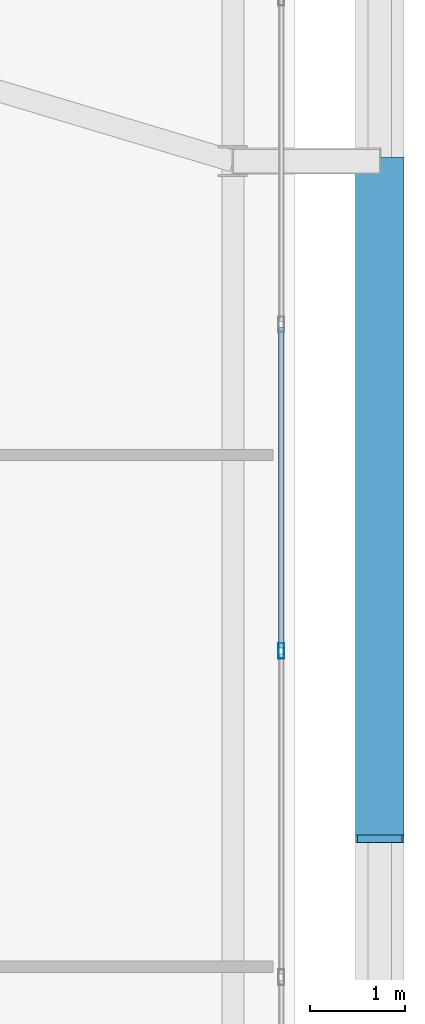
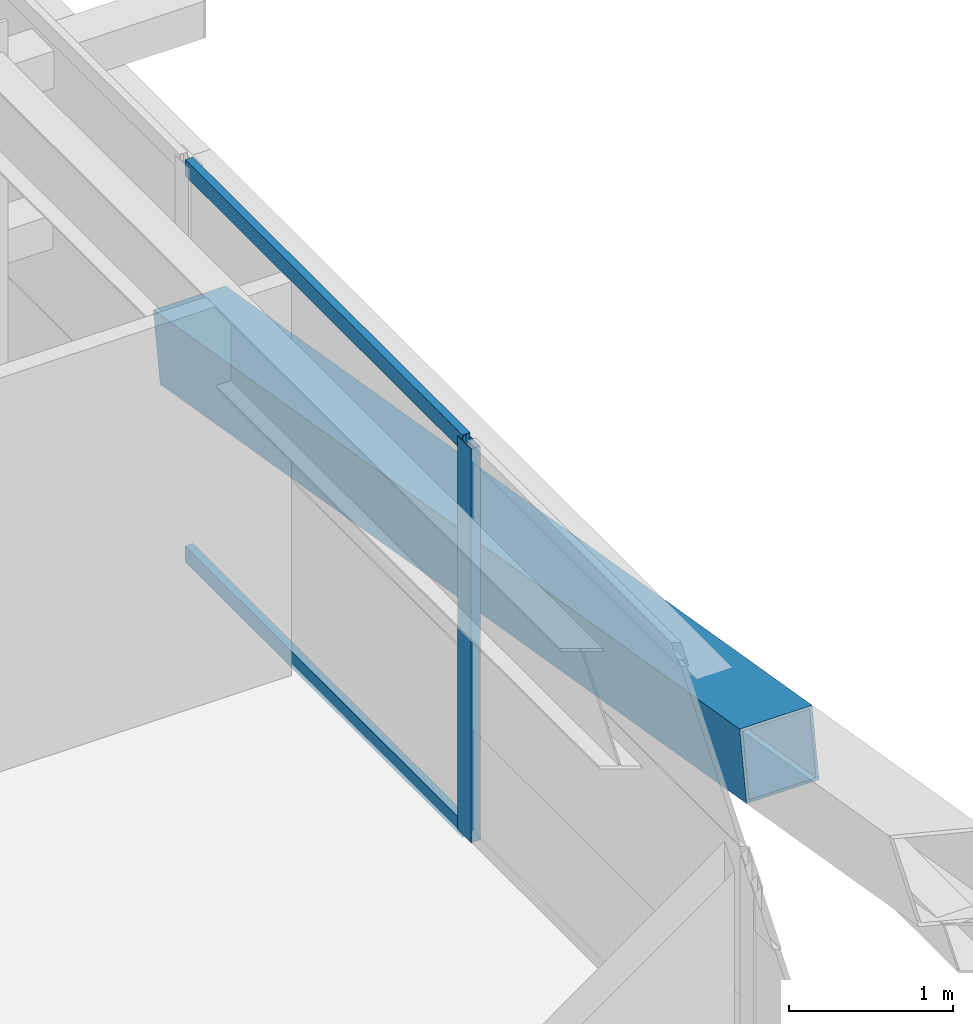
# One storey, part 28 of 58: 4 members, 1 element without a shape of its own.
"""IFC4 building model written with IfcOpenShell, lengths in metres."""

from ifc_helpers import new_model, si_unit, direction, frame, origin, origin_2d, place, context, subcontext, project, spatial, hollow_rectangle, extrude, source, transform, mapped, material, layer, layer_set, material_profile, profile_set, type_object, element, aggregate, save


model = new_model("IFC4")

# Units and contexts
model_context = context("Model", 3, precision=1e-05, world=origin(), true_north=direction((0.0, 1.0)))
body_context = subcontext(model_context, "Body", "Model", "MODEL_VIEW")
ifc_project = project(units=[si_unit("LENGTHUNIT", "METRE"), si_unit("AREAUNIT", "SQUARE_METRE"), si_unit("VOLUMEUNIT", "CUBIC_METRE"), si_unit("PLANEANGLEUNIT", "RADIAN"), si_unit("MASSUNIT", "GRAM", prefix="KILO")], contexts=[model_context])

# Site, building, storey
site_placement = place(None, origin())
site = spatial("IfcSite", under=ifc_project, at=site_placement, CompositionType="ELEMENT")
building_placement = place(site_placement, origin())
building = spatial("IfcBuilding", under=site, at=building_placement, Name="Taldren Reach Tower", CompositionType="ELEMENT")
storey_placement = place(building_placement, frame((0.0, 0.0, 51.449951171875)))
storey = spatial("IfcBuildingStorey", under=building, at=storey_placement, Name="L15", CompositionType="ELEMENT", Elevation=51.449951171875)

# Member
ifc_material_1 = material(Name="Steel Gr 450 (C450L0)", Category="steel")
ifc_material_profile_1 = material_profile(ifc_material_1, hollow_rectangle(XDim=0.510009765625, YDim=0.510009765625, WallThickness=0.02001953125, at=origin_2d()), Name="510x510x20.0SHS")
ifc_profile_set_1 = profile_set([ifc_material_profile_1], Name="Steel Gr 450 (C450L0)")
member_type_1 = type_object("IfcMemberType", Name="MB-EXO508", PredefinedType="BRACE", material=ifc_profile_set_1)
shared_shape_1 = source(origin(), body_context, "Body", "SweptSolid", [
    extrude(hollow_rectangle(XDim=0.510009765625, YDim=0.510009765625, WallThickness=0.02001953125, at=origin_2d()), origin(), (0.0, 0.0, 1.0), 7.25244140625),
])
member_1_placement = place(storey_placement, frame((65.89990234375, 20.0, 0.219970703125), z_axis=(0.0, -0.985864855729, 0.167542490848), x_axis=(1.0, 0.0, 0.0)))
element("IfcMember", 1, at=member_1_placement, inside=storey, type_object=member_type_1, Name="Exoskeleton Diagrid Brace B1-E1 L15", PredefinedType="BRACE", context=body_context, shape_type="MappedRepresentation", body=[
    mapped(shared_shape_1, transform((0.0, 0.0, 0.0), scale=1.0)),
])

# Curtain wall, members
ifc_material_2 = material(Name="Aluminium and Low-E Glass Unitised System", Category="aluminium")
ifc_layer = layer(ifc_material_2, 0.159912109375)
ifc_layer_set = layer_set([ifc_layer], Name="Aluminium and Low-E Glass Unitised System")
curtain_wall_type = type_object("IfcCurtainWallType", Name="CW-SYS-2", PredefinedType="NOTDEFINED", material=ifc_layer_set)
curtain_wall_placement = place(storey_placement, origin())
curtain_wall = element("IfcCurtainWall", 2, at=curtain_wall_placement, inside=storey, type_object=curtain_wall_type, Name="Unitised curtain wall CW-L15-E", PredefinedType="NOTDEFINED")
ifc_material_3 = material(Name="Anodised Aluminium 6063-T6", Category="aluminium")
ifc_material_profile_2 = material_profile(ifc_material_3, hollow_rectangle(XDim=0.06494140625, YDim=0.1650390625, WallThickness=0.00390625, at=origin_2d()), Name="ALU-165x65x4RHS")
ifc_profile_set_2 = profile_set([ifc_material_profile_2], Name="Anodised Aluminium 6063-T6")
member_type_2 = type_object("IfcMemberType", Name="CW-MUL-165", PredefinedType="MULLION", material=ifc_profile_set_2)
shared_shape_2 = source(origin(), body_context, "Body", "SweptSolid", [
    extrude(hollow_rectangle(XDim=0.06494140625, YDim=0.1650390625, WallThickness=0.00390625, at=origin_2d()), origin(), (0.0, 0.0, 1.0), 2.929931640625),
])
member_2_placement = place(storey_placement, frame((64.860107421875, 14.833251953125, 0.0), z_axis=(0.0, 0.0, 1.0), x_axis=(-1.0, 0.0, 0.0)))
member_2 = element("IfcMember", 3, at=member_2_placement, type_object=member_type_2, Name="CW-2 mullion 4", PredefinedType="MULLION", context=body_context, shape_type="MappedRepresentation", body=[
    mapped(shared_shape_2, transform((0.0, 0.0, 0.0), scale=1.0)),
])
ifc_material_profile_3 = material_profile(ifc_material_3, hollow_rectangle(XDim=0.054931640625, YDim=0.1201171875, WallThickness=0.0029296875, at=origin_2d()), Name="ALU-120x55x3RHS")
ifc_profile_set_3 = profile_set([ifc_material_profile_3], Name="Anodised Aluminium 6063-T6")
member_type_3 = type_object("IfcMemberType", Name="CW-TRN-135", PredefinedType="USERDEFINED", material=ifc_profile_set_3)
shared_shape_3 = source(origin(), body_context, "Body", "SweptSolid", [
    extrude(hollow_rectangle(XDim=0.054931640625, YDim=0.1201171875, WallThickness=0.0029296875, at=origin_2d()), origin(), (0.0, 0.0, 1.0), 3.379638671875),
])
member_3_placement = place(storey_placement, frame((64.860107421875, 14.86572265625, 0.027587890625), z_axis=(0.0, 1.0, 0.0), x_axis=(-1.0, 0.0, 0.0)))
member_3 = element("IfcMember", 4, at=member_3_placement, type_object=member_type_3, Name="CW-2 transom 4.1", ObjectType="TRANSOM", PredefinedType="USERDEFINED", context=body_context, shape_type="MappedRepresentation", body=[
    mapped(shared_shape_3, transform((0.0, 0.0, 0.0), scale=1.0)),
])
member_4_placement = place(storey_placement, frame((64.860107421875, 14.86572265625, 2.902587890625), z_axis=(0.0, 1.0, 0.0), x_axis=(-1.0, 0.0, 0.0)))
member_4 = element("IfcMember", 5, at=member_4_placement, type_object=member_type_3, Name="CW-2 transom 4.2", ObjectType="TRANSOM", PredefinedType="USERDEFINED", context=body_context, shape_type="MappedRepresentation", body=[
    mapped(shared_shape_3, transform((0.0, 0.0, 0.0), scale=1.0)),
])
aggregate(curtain_wall, [member_2, member_3, member_4])

save(model, "model.ifc")
